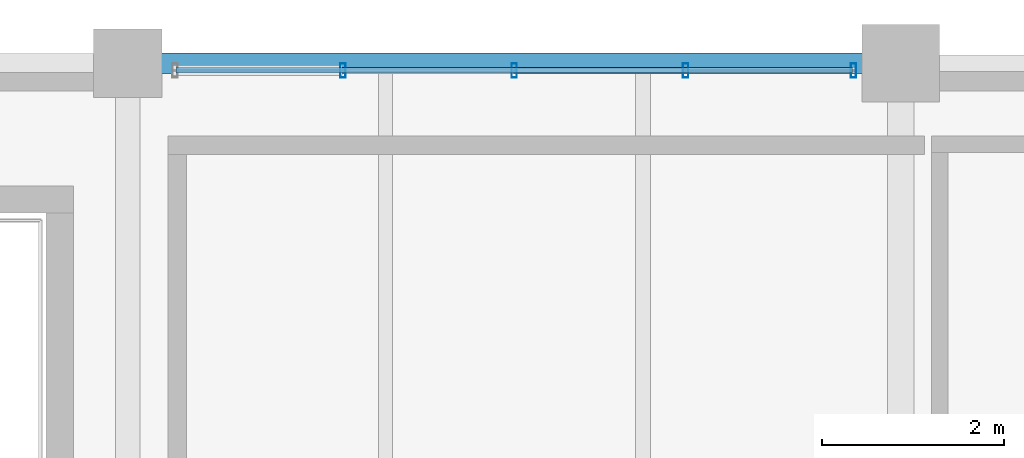
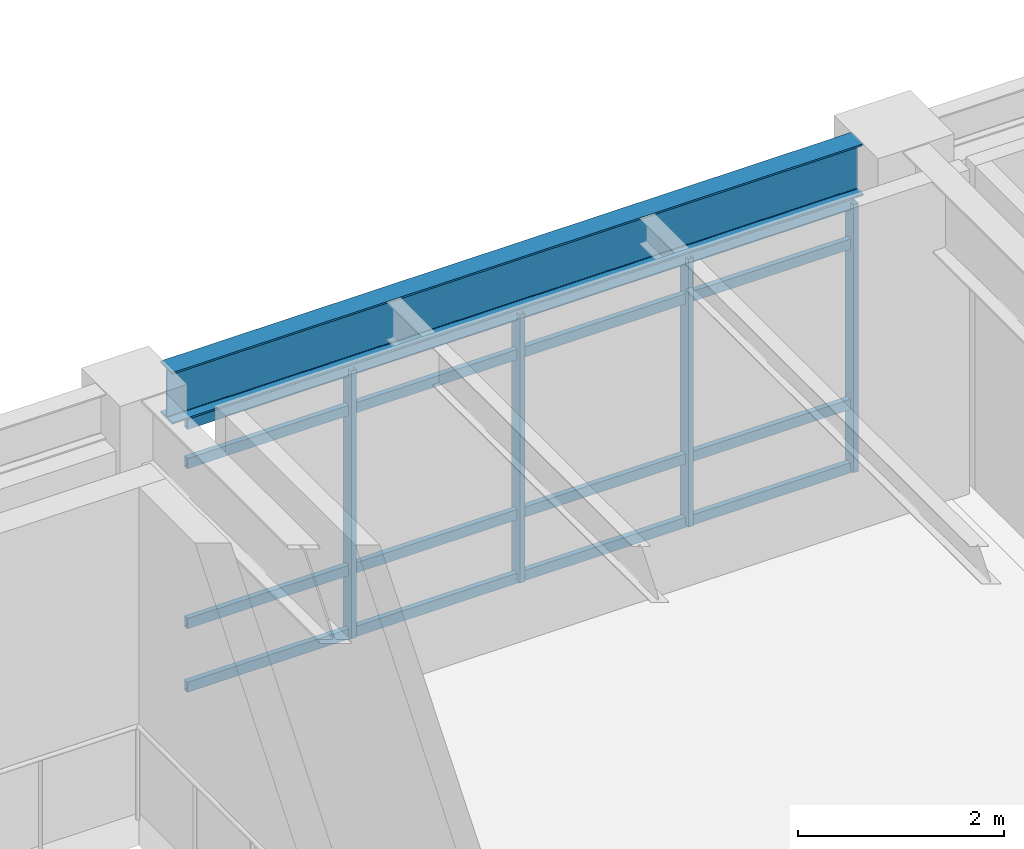
# One storey, part 16 of 26: 8 members, 1 beam, 1 element without a shape of its own.
"""IFC4 building model written with IfcOpenShell, lengths in metres."""

from ifc_helpers import new_model, si_unit, direction, frame, origin, origin_2d, place, context, subcontext, project, spatial, hollow_rectangle, i_section, extrude, material, material_profile, profile_set, type_object, element, aggregate, save


model = new_model("IFC4")

# Units and contexts
model_context = context("Model", 3, precision=1e-05, world=origin(), true_north=direction((0.0, 1.0)))
body_context = subcontext(model_context, "Body", "Model", "MODEL_VIEW")
ifc_project = project(units=[si_unit("LENGTHUNIT", "METRE"), si_unit("AREAUNIT", "SQUARE_METRE"), si_unit("VOLUMEUNIT", "CUBIC_METRE"), si_unit("PLANEANGLEUNIT", "RADIAN"), si_unit("MASSUNIT", "GRAM", prefix="KILO"), si_unit("THERMODYNAMICTEMPERATUREUNIT", "KELVIN"), si_unit("POWERUNIT", "WATT")], contexts=[model_context])

# Site, building, storey
site_placement = place(None, origin())
site = spatial("IfcSite", under=ifc_project, at=site_placement, CompositionType="ELEMENT")
building_placement = place(site_placement, origin())
building = spatial("IfcBuilding", under=site, at=building_placement, Name="Tepalcoro Natatorium and Aquatics Centre", CompositionType="ELEMENT")
storey_placement = place(building_placement, frame((0.0, 0.0, 19.0)))
storey = spatial("IfcBuildingStorey", under=building, at=storey_placement, Name="L04", CompositionType="ELEMENT", Elevation=19.0)

# Curtain wall, members
ifc_material_1 = material(Name="Bronze-Anodised Extruded Aluminium Alloy EN AW-6063 T6", Category="aluminium")
curtain_wall_type = type_object("IfcCurtainWallType", Name="CW_LEAN_T2_EW", PredefinedType="USERDEFINED", material=ifc_material_1)
curtain_wall_placement = place(storey_placement, origin())
curtain_wall = element("IfcCurtainWall", 1, at=curtain_wall_placement, inside=storey, type_object=curtain_wall_type, Name="V5 L04 N Unitised Curtain Wall Bay 4", ObjectType="FACETED SOLAR GLAZING", PredefinedType="USERDEFINED")
ifc_material_profile_1 = material_profile(ifc_material_1, hollow_rectangle(XDim=0.06005859375, YDim=0.159912109375, WallThickness=0.00390625, at=origin_2d()), Name="AL60X160X4")
ifc_profile_set_1 = profile_set([ifc_material_profile_1], Name="Bronze-Anodised Extruded Aluminium Alloy EN AW-6063 T6")
member_type_1 = type_object("IfcMemberType", Name="CW_MUL_60x160", PredefinedType="MULLION", material=ifc_profile_set_1)
member_1_placement = place(storey_placement, frame((144.364990234375, 117.919921875, 0.02001953125), z_axis=(0.0, 0.0, 1.0), x_axis=(1.0, 0.0, 0.0)))
member_1 = element("IfcMember", 2, at=member_1_placement, type_object=member_type_1, Name="CW_LEAN_T2_EW Curtain Wall Mullion", PredefinedType="MULLION", context=body_context, shape_type="SweptSolid", body=[
    extrude(hollow_rectangle(XDim=0.06005859375, YDim=0.159912109375, WallThickness=0.00390625, at=origin_2d()), origin(), (0.0, 0.0, 1.0), 3.16796875),
])
member_2_placement = place(storey_placement, frame((146.25, 117.919921875, 0.02001953125), z_axis=(0.0, 0.0, 1.0), x_axis=(1.0, 0.0, 0.0)))
member_2 = element("IfcMember", 3, at=member_2_placement, type_object=member_type_1, Name="CW_LEAN_T2_EW Curtain Wall Mullion", PredefinedType="MULLION", context=body_context, shape_type="SweptSolid", body=[
    extrude(hollow_rectangle(XDim=0.06005859375, YDim=0.159912109375, WallThickness=0.00390625, at=origin_2d()), origin(), (0.0, 0.0, 1.0), 3.16796875),
])
member_3_placement = place(storey_placement, frame((148.135009765625, 117.919921875, 0.02001953125), z_axis=(0.0, 0.0, 1.0), x_axis=(1.0, 0.0, 0.0)))
member_3 = element("IfcMember", 4, at=member_3_placement, type_object=member_type_1, Name="CW_LEAN_T2_EW Curtain Wall Mullion", PredefinedType="MULLION", context=body_context, shape_type="SweptSolid", body=[
    extrude(hollow_rectangle(XDim=0.06005859375, YDim=0.159912109375, WallThickness=0.00390625, at=origin_2d()), origin(), (0.0, 0.0, 1.0), 3.16796875),
])
member_4_placement = place(storey_placement, frame((149.97998046875, 117.919921875, 0.02001953125), z_axis=(0.0, 0.0, 1.0), x_axis=(1.0, 0.0, 0.0)))
member_4 = element("IfcMember", 5, at=member_4_placement, type_object=member_type_1, Name="CW_LEAN_T2_EW Curtain Wall Mullion", PredefinedType="MULLION", context=body_context, shape_type="SweptSolid", body=[
    extrude(hollow_rectangle(XDim=0.06005859375, YDim=0.159912109375, WallThickness=0.00390625, at=origin_2d()), origin(), (0.0, 0.0, 1.0), 3.16796875),
])
ifc_material_profile_2 = material_profile(ifc_material_1, hollow_rectangle(XDim=0.06005859375, YDim=0.1201171875, WallThickness=0.00390625, at=origin_2d()), Name="AL60X120X4")
ifc_profile_set_2 = profile_set([ifc_material_profile_2], Name="Bronze-Anodised Extruded Aluminium Alloy EN AW-6063 T6")
member_type_2 = type_object("IfcMemberType", Name="CW_TRN_60x120", PredefinedType="USERDEFINED", material=ifc_profile_set_2)
member_5_placement = place(storey_placement, frame((142.530029296875, 117.919921875, 0.050048828125), z_axis=(1.0, 0.0, 0.0), x_axis=(0.0, 1.0, 0.0)))
member_5 = element("IfcMember", 6, at=member_5_placement, type_object=member_type_2, Name="CW_LEAN_T2_EW Curtain Wall Transom", ObjectType="TRANSOM", PredefinedType="USERDEFINED", context=body_context, shape_type="SweptSolid", body=[
    extrude(hollow_rectangle(XDim=0.06005859375, YDim=0.1201171875, WallThickness=0.00390625, at=origin_2d()), origin(), (0.0, 0.0, 1.0), 7.43994140625),
])
member_6_placement = place(storey_placement, frame((142.530029296875, 117.919921875, 0.802001953125), z_axis=(1.0, 0.0, 0.0), x_axis=(0.0, 1.0, 0.0)))
member_6 = element("IfcMember", 7, at=member_6_placement, type_object=member_type_2, Name="CW_LEAN_T2_EW Curtain Wall Transom", ObjectType="TRANSOM", PredefinedType="USERDEFINED", context=body_context, shape_type="SweptSolid", body=[
    extrude(hollow_rectangle(XDim=0.06005859375, YDim=0.1201171875, WallThickness=0.00390625, at=origin_2d()), origin(), (0.0, 0.0, 1.0), 7.43994140625),
])
member_7_placement = place(storey_placement, frame((142.530029296875, 117.919921875, 2.69482421875), z_axis=(1.0, 0.0, 0.0), x_axis=(0.0, 1.0, 0.0)))
member_7 = element("IfcMember", 8, at=member_7_placement, type_object=member_type_2, Name="CW_LEAN_T2_EW Curtain Wall Transom", ObjectType="TRANSOM", PredefinedType="USERDEFINED", context=body_context, shape_type="SweptSolid", body=[
    extrude(hollow_rectangle(XDim=0.06005859375, YDim=0.1201171875, WallThickness=0.00390625, at=origin_2d()), origin(), (0.0, 0.0, 1.0), 7.43994140625),
])
member_8_placement = place(storey_placement, frame((142.530029296875, 117.919921875, 3.157958984375), z_axis=(1.0, 0.0, 0.0), x_axis=(0.0, 1.0, 0.0)))
member_8 = element("IfcMember", 9, at=member_8_placement, type_object=member_type_2, Name="CW_LEAN_T2_EW Curtain Wall Transom", ObjectType="TRANSOM", PredefinedType="USERDEFINED", context=body_context, shape_type="SweptSolid", body=[
    extrude(hollow_rectangle(XDim=0.06005859375, YDim=0.1201171875, WallThickness=0.00390625, at=origin_2d()), origin(), (0.0, 0.0, 1.0), 7.43994140625),
])
aggregate(curtain_wall, [member_1, member_2, member_3, member_4, member_5, member_6, member_7, member_8])

# Beam
ifc_material_2 = material(Name="Steel ASTM A992 Grade 50 (Fy 345 MPa)", Category="steel")
ifc_material_profile_3 = material_profile(ifc_material_2, i_section(OverallWidth=0.22900390625, OverallDepth=0.612060546875, WebThickness=0.011962890625, FlangeThickness=0.02001953125, FilletRadius=0.013916015625, at=origin_2d()), Name="W24X84")
ifc_profile_set_3 = profile_set([ifc_material_profile_3], Name="Steel ASTM A992 Grade 50 (Fy 345 MPa)")
beam_type = type_object("IfcBeamType", Name="SP_W24x84", PredefinedType="SPANDREL", material=ifc_profile_set_3)
beam_placement = place(storey_placement, frame((142.360107421875, 118.0, 3.529052734375), z_axis=(1.0, 0.0, 0.0), x_axis=(0.0, 1.0, 0.0)))
element("IfcBeam", 10, at=beam_placement, inside=storey, type_object=beam_type, Name="V5 L04 Grid Girder X", PredefinedType="SPANDREL", context=body_context, shape_type="SweptSolid", body=[
    extrude(i_section(OverallWidth=0.22900390625, OverallDepth=0.612060546875, WebThickness=0.011962890625, FlangeThickness=0.02001953125, FilletRadius=0.013916015625, at=origin_2d()), origin(), (0.0, 0.0, 1.0), 7.72998046875),
])

save(model, "model.ifc")
